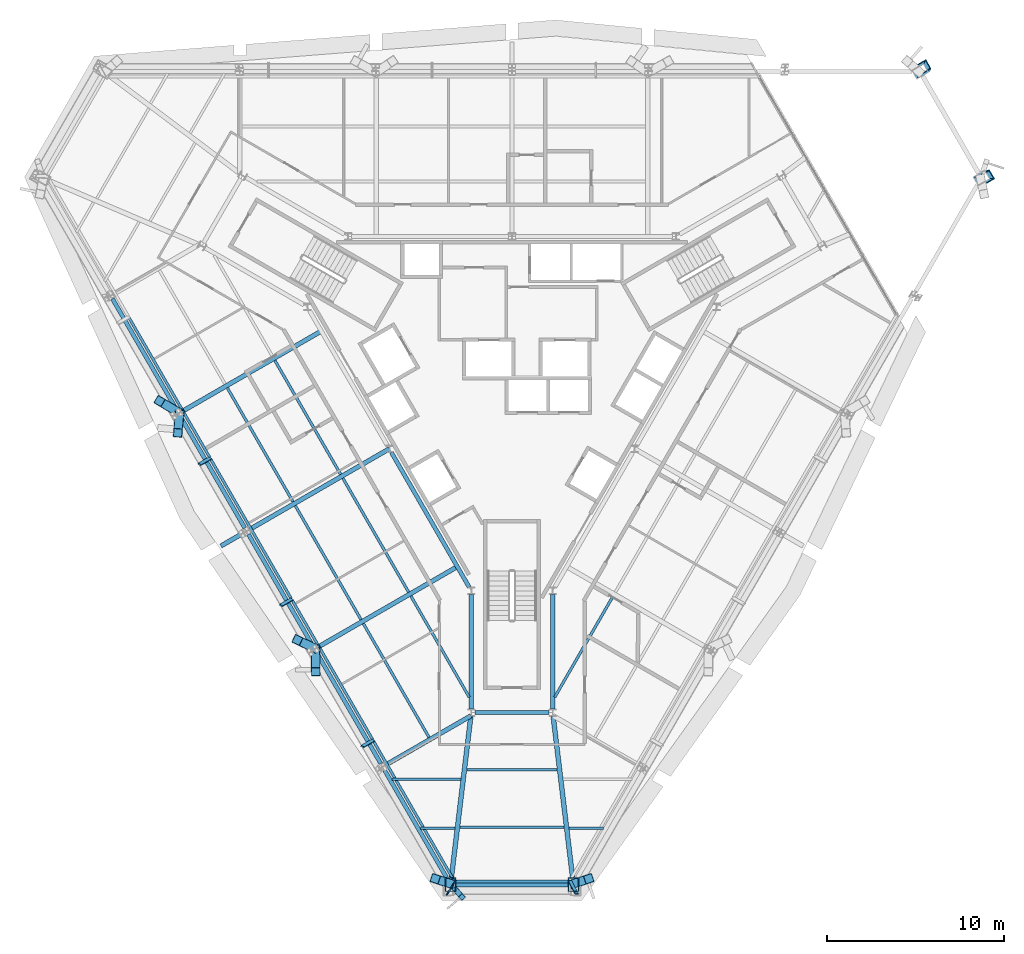
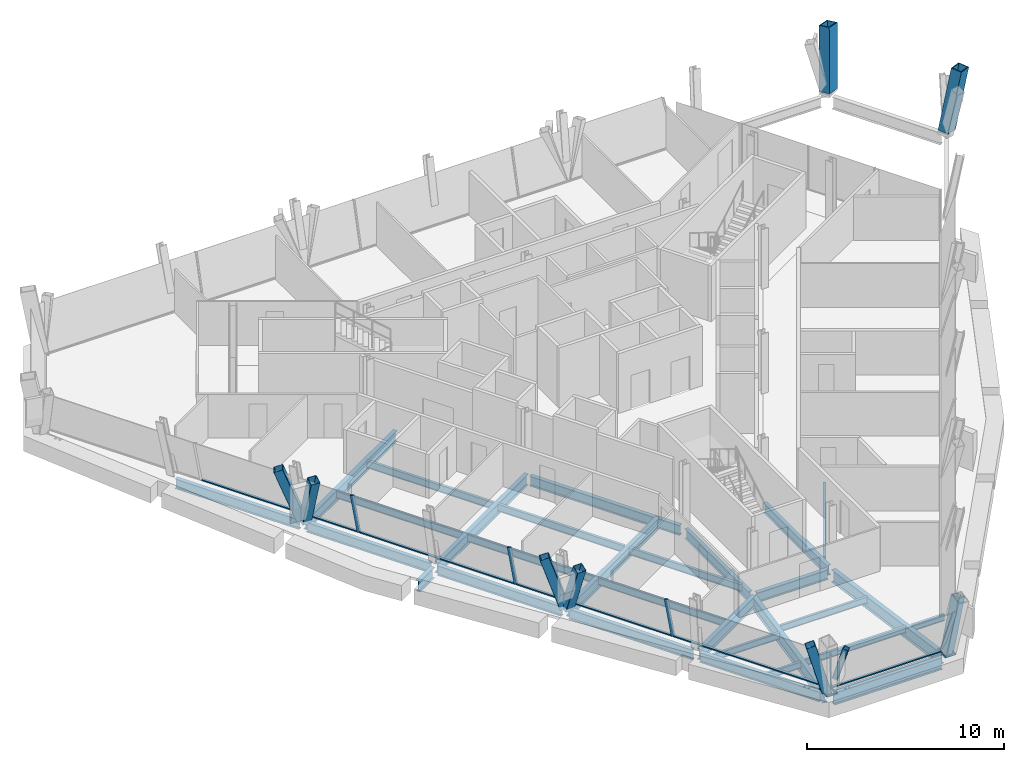
# One storey, part 2 of 12: 29 beams, 19 members, 2 columns, 3 elements without a shape of their own.
"""IFC4 building model written with IfcOpenShell, lengths in metres."""

from ifc_helpers import new_model, si_unit, direction, frame, origin, origin_2d, place, context, subcontext, project, spatial, rectangle, hollow_rectangle, i_section, extrude, material, material_profile, profile_set, type_object, element, aggregate, save


model = new_model("IFC4")

# Units and contexts
model_context = context("Model", 3, precision=1e-05, world=origin(), true_north=direction((0.0, 1.0)))
body_context = subcontext(model_context, "Body", "Model", "MODEL_VIEW")
ifc_project = project(units=[si_unit("LENGTHUNIT", "METRE"), si_unit("AREAUNIT", "SQUARE_METRE"), si_unit("VOLUMEUNIT", "CUBIC_METRE"), si_unit("PLANEANGLEUNIT", "RADIAN"), si_unit("MASSUNIT", "GRAM", prefix="KILO")], contexts=[model_context])

# Site, building, storey
site_placement = place(None, origin())
site = spatial("IfcSite", under=ifc_project, at=site_placement, CompositionType="ELEMENT")
building_placement = place(site_placement, origin())
building = spatial("IfcBuilding", under=site, at=building_placement, Name="Verrane Prism Tower", CompositionType="ELEMENT")
storey_placement = place(building_placement, frame((0.0, 0.0, 174.699951171875)))
storey = spatial("IfcBuildingStorey", under=building, at=storey_placement, Name="L43", CompositionType="ELEMENT", Elevation=174.699951171875)

# Columns
ifc_material_1 = material(Name="Steel A572 Grade 50", Category="steel")
ifc_material_profile_1 = material_profile(ifc_material_1, hollow_rectangle(XDim=0.60009765625, YDim=0.800048828125, WallThickness=0.050048828125, at=origin_2d()), Name="BOX 800x600x50")
ifc_profile_set_1 = profile_set([ifc_material_profile_1], Name="Steel A572 Grade 50")
column_type = type_object("IfcColumnType", Name="Megacolumn BOX 800x600x50", PredefinedType="COLUMN", material=ifc_profile_set_1)
column_1_placement = place(storey_placement, frame((23.056884765625, 17.322265625, 0.06494140625), z_axis=(0.105703911209, 0.184881619668, 0.977059604049), x_axis=(0.496815418669, -0.860963064013, 0.109165205894)))
element("IfcColumn", 1, at=column_1_placement, inside=storey, type_object=column_type, Name="Megacolumn MC-NE.b L43", PredefinedType="COLUMN", context=body_context, shape_type="SweptSolid", body=[
    extrude(hollow_rectangle(XDim=0.60009765625, YDim=0.800048828125, WallThickness=0.050048828125, at=origin_2d()), origin(), (0.0, 0.0, 1.0), 3.65380859375),
])
column_2_placement = place(storey_placement, frame((26.524169921875, 11.30029296875, 0.06494140625), z_axis=(0.213901349947, 0.002605294393, 0.976851792716), x_axis=(0.49700817695, -0.861181491994, -0.106533139876)))
element("IfcColumn", 2, at=column_2_placement, inside=storey, type_object=column_type, Name="Megacolumn MC-NE.a L43", PredefinedType="COLUMN", context=body_context, shape_type="SweptSolid", body=[
    extrude(hollow_rectangle(XDim=0.60009765625, YDim=0.800048828125, WallThickness=0.050048828125, at=origin_2d()), origin(), (0.0, 0.0, 1.0), 3.65478515625),
])

# Member
ifc_material_2 = material(Name="Steel A500 Grade C", Category="steel")
ifc_material_profile_2 = material_profile(ifc_material_2, hollow_rectangle(XDim=0.3046875, YDim=0.3046875, WallThickness=0.0126953125, InnerFilletRadius=0.00634765625, OuterFilletRadius=0.01904296875, at=origin_2d()), Name="HSS12x12x1/2")
ifc_profile_set_2 = profile_set([ifc_material_profile_2], Name="Steel A500 Grade C")
member_type_1 = type_object("IfcMemberType", Name="Chamfer brace HSS12x12x1/2", PredefinedType="BRACE", material=ifc_profile_set_2)
member_1_placement = place(storey_placement, frame((-3.195068359375, -28.88671875, 0.903076171875), z_axis=(0.183063555676, -0.211962042613, 0.959979076373), x_axis=(0.756813420585, 0.653630971131, 0.0)))
element("IfcMember", 3, at=member_1_placement, inside=storey, type_object=member_type_1, Name="Chamfer brace S0 L43", PredefinedType="BRACE", context=body_context, shape_type="SweptSolid", body=[
    extrude(hollow_rectangle(XDim=0.3046875, YDim=0.3046875, WallThickness=0.0126953125, InnerFilletRadius=0.00634765625, OuterFilletRadius=0.01904296875, at=origin_2d()), origin(), (0.0, 0.0, 1.0), 2.04443359375),
])

# Beams
ifc_material_3 = material(Name="Steel A992", Category="steel")
ifc_material_profile_3 = material_profile(ifc_material_3, i_section(OverallWidth=0.2666015625, OverallDepth=0.7568359375, WebThickness=0.013916015625, FlangeThickness=0.019287109375, FilletRadius=0.0166015625, at=origin_2d()), Name="W30x108")
ifc_profile_set_3 = profile_set([ifc_material_profile_3], Name="Steel A992")
beam_type_1 = type_object("IfcBeamType", Name="Chamfer spandrel beam W30x108", PredefinedType="SPANDREL", material=ifc_profile_set_3)
beam_1_placement = place(storey_placement, frame((-3.169921875, -28.610107421875, -0.538330078125), z_axis=(1.0, 0.0, 0.0), x_axis=(0.0, 1.0, 0.0)))
element("IfcBeam", 4, at=beam_1_placement, inside=storey, type_object=beam_type_1, Name="Chamfer spandrel beam L43", PredefinedType="SPANDREL", context=body_context, shape_type="SweptSolid", body=[
    extrude(i_section(OverallWidth=0.2666015625, OverallDepth=0.7568359375, WebThickness=0.013916015625, FlangeThickness=0.019287109375, FilletRadius=0.0166015625, at=origin_2d()), origin(), (0.0, 0.0, 1.0), 6.33984375),
])
ifc_material_4 = material(Name="Steel A992", Category="steel")
ifc_material_profile_4 = material_profile(ifc_material_4, i_section(OverallWidth=0.23046875, OverallDepth=0.6171875, WebThickness=0.01318359375, FlangeThickness=0.022216796875, FilletRadius=0.012939453125, at=origin_2d()), Name="W24x94")
ifc_profile_set_4 = profile_set([ifc_material_profile_4], Name="Steel A992")
beam_type_2 = type_object("IfcBeamType", Name="Core ring girder W24x94", PredefinedType="BEAM", material=ifc_profile_set_4)
beam_2_placement = place(storey_placement, frame((-6.81494140625, -4.199462890625, -0.55859375), z_axis=(0.499988222896, -0.866032203192, 0.0), x_axis=(0.866032203192, 0.499988222896, 0.0)))
element("IfcBeam", 5, at=beam_2_placement, inside=storey, type_object=beam_type_2, Name="Core ring girder L43", PredefinedType="BEAM", context=body_context, shape_type="SweptSolid", body=[
    extrude(i_section(OverallWidth=0.23046875, OverallDepth=0.6171875, WebThickness=0.01318359375, FlangeThickness=0.022216796875, FilletRadius=0.012939453125, at=origin_2d()), origin(), (0.0, 0.0, 1.0), 8.800048828125),
])
beam_3_placement = place(storey_placement, frame((-2.300048828125, -12.219482421875, -0.55859375), z_axis=(0.0, -1.0, 0.0), x_axis=(1.0, 0.0, 0.0)))
element("IfcBeam", 6, at=beam_3_placement, inside=storey, type_object=beam_type_2, Name="Core ring girder L43", PredefinedType="BEAM", context=body_context, shape_type="SweptSolid", body=[
    extrude(i_section(OverallWidth=0.23046875, OverallDepth=0.6171875, WebThickness=0.01318359375, FlangeThickness=0.022216796875, FilletRadius=0.012939453125, at=origin_2d()), origin(), (0.0, 0.0, 1.0), 6.47216796875),
])
beam_4_placement = place(storey_placement, frame((-2.0966796875, -18.89990234375, -0.55859375), z_axis=(1.0, 0.0, 0.0), x_axis=(0.0, 1.0, 0.0)))
element("IfcBeam", 7, at=beam_4_placement, inside=storey, type_object=beam_type_2, Name="Core ring girder L43", PredefinedType="BEAM", context=body_context, shape_type="SweptSolid", body=[
    extrude(i_section(OverallWidth=0.23046875, OverallDepth=0.6171875, WebThickness=0.01318359375, FlangeThickness=0.022216796875, FilletRadius=0.012939453125, at=origin_2d()), origin(), (0.0, 0.0, 1.0), 4.193359375),
])
beam_5_placement = place(storey_placement, frame((2.300048828125, -18.691650390625, -0.55859375), z_axis=(0.0, 1.0, 0.0), x_axis=(-1.0, 0.0, 0.0)))
element("IfcBeam", 8, at=beam_5_placement, inside=storey, type_object=beam_type_2, Name="Core ring girder L43", PredefinedType="BEAM", context=body_context, shape_type="SweptSolid", body=[
    extrude(i_section(OverallWidth=0.23046875, OverallDepth=0.6171875, WebThickness=0.01318359375, FlangeThickness=0.022216796875, FilletRadius=0.012939453125, at=origin_2d()), origin(), (0.0, 0.0, 1.0), 6.47216796875),
])
ifc_material_5 = material(Name="Steel A992", Category="steel")
ifc_material_profile_5 = material_profile(ifc_material_5, i_section(OverallWidth=0.2666015625, OverallDepth=0.76708984375, WebThickness=0.014892578125, FlangeThickness=0.023681640625, FilletRadius=0.0166015625, at=origin_2d()), Name="W30x124")
ifc_profile_set_5 = profile_set([ifc_material_profile_5], Name="Steel A992")
beam_type_3 = type_object("IfcBeamType", Name="Corner girder W30x124", PredefinedType="BEAM", material=ifc_profile_set_5)
for number, where, z_axis, x_axis, name in (
    (9, (-3.421875, -28.2099609375, -0.603515625), (0.119628268268, 0.992818753565, 0.0), (-0.992818753565, 0.119628268268, 0.0), "Corner girder L43"),
    (10, (3.421875, -28.2099609375, -0.603515625), (-0.119628268268, 0.992818753565, 0.0), (-0.992818753565, -0.119628268268, 0.0), "Corner girder L43"),
):
    element("IfcBeam", number, at=place(storey_placement, frame(where, z_axis=z_axis, x_axis=x_axis)), inside=storey, type_object=beam_type_3, Name=name, PredefinedType="BEAM", context=body_context, shape_type="SweptSolid", body=[
        extrude(i_section(OverallWidth=0.2666015625, OverallDepth=0.76708984375, WebThickness=0.014892578125, FlangeThickness=0.023681640625, FilletRadius=0.0166015625, at=origin_2d()), origin(), (0.0, 0.0, 1.0), 9.16748046875),
    ])

# Members
ifc_material_6 = material(Name="Steel A500 Grade C", Category="steel")
ifc_material_profile_6 = material_profile(ifc_material_6, hollow_rectangle(XDim=0.508056640625, YDim=0.508056640625, WallThickness=0.01904296875, InnerFilletRadius=0.009521484375, OuterFilletRadius=0.028564453125, at=origin_2d()), Name="HSS20x20x3/4")
ifc_profile_set_6 = profile_set([ifc_material_profile_6], Name="Steel A500 Grade C")
member_type_2 = type_object("IfcMemberType", Name="Facade brace HSS20x20x3/4", PredefinedType="BRACE", material=ifc_profile_set_6)
member_2_placement = place(storey_placement, frame((-18.87939453125, -1.91455078125, -0.171630859375), z_axis=(-0.306155746735, 0.182144208746, 0.934393999318), x_axis=(-0.511294495526, -0.859405572966, 0.0)))
element("IfcMember", 11, at=member_2_placement, inside=storey, type_object=member_type_2, Name="Facade brace SW1 L43", PredefinedType="BRACE", context=body_context, shape_type="SweptSolid", body=[
    extrude(hollow_rectangle(XDim=0.508056640625, YDim=0.508056640625, WallThickness=0.01904296875, InnerFilletRadius=0.009521484375, OuterFilletRadius=0.028564453125, at=origin_2d()), origin(), (0.0, 0.0, 1.0), 3.372314453125),
])
member_3_placement = place(storey_placement, frame((-18.7900390625, -2.0693359375, -0.171630859375), z_axis=(-0.025620472183, -0.310464170103, 0.950239754213), x_axis=(0.996612260534, -0.082243553869, 0.0)))
element("IfcMember", 12, at=member_3_placement, inside=storey, type_object=member_type_2, Name="Facade brace SW2 L43", PredefinedType="BRACE", context=body_context, shape_type="SweptSolid", body=[
    extrude(hollow_rectangle(XDim=0.508056640625, YDim=0.508056640625, WallThickness=0.01904296875, InnerFilletRadius=0.009521484375, OuterFilletRadius=0.028564453125, at=origin_2d()), origin(), (0.0, 0.0, 1.0), 3.316162109375),
])
member_4_placement = place(storey_placement, frame((-11.18994140625, -15.240478515625, -0.171630859375), z_axis=(-0.281583021635, 0.133761137336, 0.950167858889), x_axis=(-0.429080898862, -0.903266063921, 0.0)))
element("IfcMember", 13, at=member_4_placement, inside=storey, type_object=member_type_2, Name="Facade brace SW3 L43", PredefinedType="BRACE", context=body_context, shape_type="SweptSolid", body=[
    extrude(hollow_rectangle(XDim=0.508056640625, YDim=0.508056640625, WallThickness=0.01904296875, InnerFilletRadius=0.009521484375, OuterFilletRadius=0.028564453125, at=origin_2d()), origin(), (0.0, 0.0, 1.0), 3.31640625),
])
member_5_placement = place(storey_placement, frame((-11.1005859375, -15.395263671875, -0.171630859375), z_axis=(0.004344610647, -0.355678791673, 0.934598160448), x_axis=(0.999925405434, 0.012214072542, 0.0)))
element("IfcMember", 14, at=member_5_placement, inside=storey, type_object=member_type_2, Name="Facade brace SW4 L43", PredefinedType="BRACE", context=body_context, shape_type="SweptSolid", body=[
    extrude(hollow_rectangle(XDim=0.508056640625, YDim=0.508056640625, WallThickness=0.01904296875, InnerFilletRadius=0.009521484375, OuterFilletRadius=0.028564453125, at=origin_2d()), origin(), (0.0, 0.0, 1.0), 3.37158203125),
])
for number, where, z_axis, x_axis, name in (
    (15, (-3.500732421875, -28.556640625, -0.171630859375), (-0.25503092061, 0.083442952661, 0.963325751335), (-0.310965972755, -0.950421045531, 0.0), "Facade brace SW5 L43"),
    (16, (3.500732421875, -28.556640625, -0.171630859375), (0.25503092061, 0.083442952661, 0.963325751335), (-0.310965972755, 0.950421045531, 0.0), "Facade brace SE0 L43"),
):
    element("IfcMember", number, at=place(storey_placement, frame(where, z_axis=z_axis, x_axis=x_axis)), inside=storey, type_object=member_type_2, Name=name, PredefinedType="BRACE", context=body_context, shape_type="SweptSolid", body=[
        extrude(hollow_rectangle(XDim=0.508056640625, YDim=0.508056640625, WallThickness=0.01904296875, InnerFilletRadius=0.009521484375, OuterFilletRadius=0.028564453125, at=origin_2d()), origin(), (0.0, 0.0, 1.0), 3.27099609375),
    ])

# Beams
ifc_material_7 = material(Name="Steel A992", Category="steel")
ifc_material_profile_7 = material_profile(ifc_material_7, i_section(OverallWidth=0.140380859375, OverallDepth=0.40380859375, WebThickness=0.007080078125, FlangeThickness=0.01123046875, FilletRadius=0.01025390625, at=origin_2d()), Name="W16x31")
ifc_profile_set_7 = profile_set([ifc_material_profile_7], Name="Steel A992")
beam_type_4 = type_object("IfcBeamType", Name="Floor beam W16x31", PredefinedType="BEAM", material=ifc_profile_set_7)
beam_6_placement = place(storey_placement, frame((-5.171630859375, -25.433349609375, -0.36181640625), z_axis=(1.0, 0.0, 0.0), x_axis=(0.0, 1.0, 0.0)))
element("IfcBeam", 17, at=beam_6_placement, inside=storey, type_object=beam_type_4, Name="Floor beam L43", PredefinedType="BEAM", context=body_context, shape_type="SweptSolid", body=[
    extrude(i_section(OverallWidth=0.140380859375, OverallDepth=0.40380859375, WebThickness=0.007080078125, FlangeThickness=0.01123046875, FilletRadius=0.01025390625, at=origin_2d()), origin(), (0.0, 0.0, 1.0), 1.950439453125),
])
beam_7_placement = place(storey_placement, frame((-6.77490234375, -22.65673828125, -0.36181640625), z_axis=(1.0, 0.0, 0.0), x_axis=(0.0, 1.0, 0.0)))
element("IfcBeam", 18, at=beam_7_placement, inside=storey, type_object=beam_type_4, Name="Floor beam L43", PredefinedType="BEAM", context=body_context, shape_type="SweptSolid", body=[
    extrude(i_section(OverallWidth=0.140380859375, OverallDepth=0.40380859375, WebThickness=0.007080078125, FlangeThickness=0.01123046875, FilletRadius=0.01025390625, at=origin_2d()), origin(), (0.0, 0.0, 1.0), 3.888916015625),
])
beam_8_placement = place(storey_placement, frame((3.22119140625, -25.433349609375, -0.36181640625), z_axis=(1.0, 0.0, 0.0), x_axis=(0.0, 1.0, 0.0)))
element("IfcBeam", 19, at=beam_8_placement, inside=storey, type_object=beam_type_4, Name="Floor beam L43", PredefinedType="BEAM", context=body_context, shape_type="SweptSolid", body=[
    extrude(i_section(OverallWidth=0.140380859375, OverallDepth=0.40380859375, WebThickness=0.007080078125, FlangeThickness=0.01123046875, FilletRadius=0.01025390625, at=origin_2d()), origin(), (0.0, 0.0, 1.0), 1.950439453125),
])
beam_9_placement = place(storey_placement, frame((-2.945068359375, -25.373291015625, -0.36181640625), z_axis=(1.0, 0.0, 0.0), x_axis=(0.0, 1.0, 0.0)))
element("IfcBeam", 20, at=beam_9_placement, inside=storey, type_object=beam_type_4, Name="Floor beam L43", PredefinedType="BEAM", context=body_context, shape_type="SweptSolid", body=[
    extrude(i_section(OverallWidth=0.140380859375, OverallDepth=0.40380859375, WebThickness=0.007080078125, FlangeThickness=0.01123046875, FilletRadius=0.01025390625, at=origin_2d()), origin(), (0.0, 0.0, 1.0), 5.89013671875),
])
beam_10_placement = place(storey_placement, frame((-2.554443359375, -22.13671875, -0.36181640625), z_axis=(1.0, 0.0, 0.0), x_axis=(0.0, 1.0, 0.0)))
element("IfcBeam", 21, at=beam_10_placement, inside=storey, type_object=beam_type_4, Name="Floor beam L43", PredefinedType="BEAM", context=body_context, shape_type="SweptSolid", body=[
    extrude(i_section(OverallWidth=0.140380859375, OverallDepth=0.40380859375, WebThickness=0.007080078125, FlangeThickness=0.01123046875, FilletRadius=0.01025390625, at=origin_2d()), origin(), (0.0, 0.0, 1.0), 5.10888671875),
])
ifc_material_8 = material(Name="Steel A992", Category="steel")
ifc_material_profile_8 = material_profile(ifc_material_8, i_section(OverallWidth=0.15234375, OverallDepth=0.449462890625, WebThickness=0.007568359375, FlangeThickness=0.0107421875, FilletRadius=0.01025390625, at=origin_2d()), Name="W18x35")
ifc_profile_set_8 = profile_set([ifc_material_profile_8], Name="Steel A992")
beam_type_5 = type_object("IfcBeamType", Name="Floor beam W18x35", PredefinedType="BEAM", material=ifc_profile_set_8)
for number, where, z_axis, x_axis, name in (
    (22, (-9.680419921875, -5.440185546875, -0.384765625), (-0.499979562871, 0.866037202845, 0.0), (-0.866037202845, -0.499979562871, 0.0), "Floor beam L43"),
    (23, (-12.3671875, -6.990234375, -0.384765625), (-0.499979562871, 0.866037202845, 0.0), (-0.866037202845, -0.499979562871, 0.0), "Floor beam L43"),
):
    element("IfcBeam", number, at=place(storey_placement, frame(where, z_axis=z_axis, x_axis=x_axis)), inside=storey, type_object=beam_type_5, Name=name, PredefinedType="BEAM", context=body_context, shape_type="SweptSolid", body=[
        extrude(i_section(OverallWidth=0.15234375, OverallDepth=0.449462890625, WebThickness=0.007568359375, FlangeThickness=0.0107421875, FilletRadius=0.01025390625, at=origin_2d()), origin(), (0.0, 0.0, 1.0), 7.425048828125),
    ])
beam_11_placement = place(storey_placement, frame((-5.837646484375, -12.098388671875, -0.384765625), z_axis=(-0.499996323716, 0.866027526278, 0.0), x_axis=(-0.866027526278, -0.499996323716, 0.0)))
element("IfcBeam", 24, at=beam_11_placement, inside=storey, type_object=beam_type_5, Name="Floor beam L43", PredefinedType="BEAM", context=body_context, shape_type="SweptSolid", body=[
    extrude(i_section(OverallWidth=0.15234375, OverallDepth=0.449462890625, WebThickness=0.007568359375, FlangeThickness=0.0107421875, FilletRadius=0.01025390625, at=origin_2d()), origin(), (0.0, 0.0, 1.0), 7.43359375),
])
beam_12_placement = place(storey_placement, frame((-8.525390625, -13.6494140625, -0.384765625), z_axis=(-0.500006734102, 0.866021515814, 0.0), x_axis=(-0.866021515814, -0.500006734102, 0.0)))
element("IfcBeam", 25, at=beam_12_placement, inside=storey, type_object=beam_type_5, Name="Floor beam L43", PredefinedType="BEAM", context=body_context, shape_type="SweptSolid", body=[
    extrude(i_section(OverallWidth=0.15234375, OverallDepth=0.449462890625, WebThickness=0.007568359375, FlangeThickness=0.0107421875, FilletRadius=0.01025390625, at=origin_2d()), origin(), (0.0, 0.0, 1.0), 7.43408203125),
])
beam_13_placement = place(storey_placement, frame((-2.4150390625, -18.027099609375, -0.384765625), z_axis=(-0.49998322161, 0.866035090576, 0.0), x_axis=(-0.866035090576, -0.49998322161, 0.0)))
element("IfcBeam", 26, at=beam_13_placement, inside=storey, type_object=beam_type_5, Name="Floor beam L43", PredefinedType="BEAM", context=body_context, shape_type="SweptSolid", body=[
    extrude(i_section(OverallWidth=0.15234375, OverallDepth=0.449462890625, WebThickness=0.007568359375, FlangeThickness=0.0107421875, FilletRadius=0.01025390625, at=origin_2d()), origin(), (0.0, 0.0, 1.0), 6.591552734375),
])
beam_14_placement = place(storey_placement, frame((-4.686279296875, -20.299072265625, -0.384765625), z_axis=(-0.500022277658, 0.866012541391, 0.0), x_axis=(-0.866012541391, -0.500022277658, 0.0)))
element("IfcBeam", 27, at=beam_14_placement, inside=storey, type_object=beam_type_5, Name="Floor beam L43", PredefinedType="BEAM", context=body_context, shape_type="SweptSolid", body=[
    extrude(i_section(OverallWidth=0.15234375, OverallDepth=0.449462890625, WebThickness=0.007568359375, FlangeThickness=0.0107421875, FilletRadius=0.01025390625, at=origin_2d()), origin(), (0.0, 0.0, 1.0), 7.424560546875),
])
beam_15_placement = place(storey_placement, frame((2.4150390625, -18.027099609375, -0.384765625), z_axis=(0.49998322161, 0.866035090576, 0.0), x_axis=(-0.866035090576, 0.49998322161, 0.0)))
element("IfcBeam", 28, at=beam_15_placement, inside=storey, type_object=beam_type_5, Name="Floor beam L43", PredefinedType="BEAM", context=body_context, shape_type="SweptSolid", body=[
    extrude(i_section(OverallWidth=0.15234375, OverallDepth=0.449462890625, WebThickness=0.007568359375, FlangeThickness=0.0107421875, FilletRadius=0.01025390625, at=origin_2d()), origin(), (0.0, 0.0, 1.0), 6.591552734375),
])

# Members
ifc_material_9 = material(Name="Steel A572 Grade 50", Category="steel")
ifc_material_profile_9 = material_profile(ifc_material_9, hollow_rectangle(XDim=0.60009765625, YDim=0.800048828125, WallThickness=0.050048828125, at=origin_2d()), Name="BOX 800x600x50")
ifc_profile_set_9 = profile_set([ifc_material_profile_9], Name="Steel A572 Grade 50")
member_type_3 = type_object("IfcMemberType", Name="Kink node BOX 800x600x50", PredefinedType="COLLAR", material=ifc_profile_set_9)
for number, where, z_axis, x_axis, name in (
    (29, (-3.473388671875, -28.6162109375, -0.06494140625), (0.0, 0.0, 1.0), (-1.0, 0.0, 0.0), "Kink node MC4 L43"),
    (30, (3.473388671875, -28.6162109375, -0.06494140625), (0.0, 0.0, 1.0), (-1.0, 0.0, 0.0), "Kink node MC4 L43"),
):
    element("IfcMember", number, at=place(storey_placement, frame(where, z_axis=z_axis, x_axis=x_axis)), inside=storey, type_object=member_type_3, Name=name, PredefinedType="COLLAR", context=body_context, shape_type="SweptSolid", body=[
        extrude(hollow_rectangle(XDim=0.60009765625, YDim=0.800048828125, WallThickness=0.050048828125, at=origin_2d()), origin(), (0.0, 0.0, 1.0), 0.1298828125),
    ])

# Curtain wall, members
ifc_material_10 = material(Name="Aluminium framed insulated glazing", Category="aluminium")
curtain_wall_type = type_object("IfcCurtainWallType", Name="Curtain wall CW-A 8400 module", PredefinedType="NOTDEFINED", material=ifc_material_10)
curtain_wall_1_placement = place(storey_placement, origin())
curtain_wall_1 = element("IfcCurtainWall", 31, at=curtain_wall_1_placement, inside=storey, type_object=curtain_wall_type, Name="Glazed curtain wall south-west face L43", PredefinedType="NOTDEFINED")
ifc_material_11 = material(Name="Aluminium alloy 6063-T6", Category="aluminium")
ifc_material_profile_10 = material_profile(ifc_material_11, rectangle(XDim=0.199951171875, YDim=0.070068359375, at=origin_2d()), Name="Mullion 70x200 aluminium")
ifc_profile_set_10 = profile_set([ifc_material_profile_10], Name="Aluminium alloy 6063-T6")
member_type_4 = type_object("IfcMemberType", Name="Mullion 70x200 aluminium", PredefinedType="MULLION", material=ifc_profile_set_10)
member_6_placement = place(storey_placement, frame((-17.0498046875, -4.531005859375, 0.0), z_axis=(-0.216364904862, -0.124956614407, 0.968283053895), x_axis=(0.852358411986, -0.507817109086, 0.124927664015)))
member_6 = element("IfcMember", 32, at=member_6_placement, type_object=member_type_4, Name="CW42.4 mullion 3", PredefinedType="MULLION", context=body_context, shape_type="SweptSolid", body=[
    extrude(rectangle(XDim=0.199951171875, YDim=0.070068359375, at=origin_2d()), origin(), (0.0, 0.0, 1.0), 2.8017578125),
])
member_7_placement = place(storey_placement, frame((-12.448974609375, -12.5, 0.0), z_axis=(-0.216367259975, -0.124870835096, 0.968293593572), x_axis=(0.852209545934, -0.508071915467, 0.124907239713)))
member_7 = element("IfcMember", 33, at=member_7_placement, type_object=member_type_4, Name="CW42.4 mullion 4", PredefinedType="MULLION", context=body_context, shape_type="SweptSolid", body=[
    extrude(rectangle(XDim=0.199951171875, YDim=0.070068359375, at=origin_2d()), origin(), (0.0, 0.0, 1.0), 2.8017578125),
])
member_8_placement = place(storey_placement, frame((-7.84814453125, -20.46875, 0.0), z_axis=(-0.216364904862, -0.124956614407, 0.968283053895), x_axis=(0.852358411986, -0.507817109086, 0.124927664015)))
member_8 = element("IfcMember", 34, at=member_8_placement, type_object=member_type_4, Name="CW42.4 mullion 5", PredefinedType="MULLION", context=body_context, shape_type="SweptSolid", body=[
    extrude(rectangle(XDim=0.199951171875, YDim=0.070068359375, at=origin_2d()), origin(), (0.0, 0.0, 1.0), 2.8017578125),
])

# Curtain wall, member
curtain_wall_2_placement = place(storey_placement, origin())
curtain_wall_2 = element("IfcCurtainWall", 35, at=curtain_wall_2_placement, inside=storey, type_object=curtain_wall_type, Name="Glazed curtain wall south corner L43", PredefinedType="NOTDEFINED")
member_9_placement = place(storey_placement, frame((-3.21240234375, -28.4375, 0.0), z_axis=(-0.154784599439, -0.246897792654, 0.956599815889), x_axis=(0.508114104522, 0.810495690639, 0.291404859673)))
member_9 = element("IfcMember", 36, at=member_9_placement, type_object=member_type_4, Name="CW42.5 mullion 1", PredefinedType="MULLION", context=body_context, shape_type="SweptSolid", body=[
    extrude(rectangle(XDim=0.199951171875, YDim=0.070068359375, at=origin_2d()), origin(), (0.0, 0.0, 1.0), 2.8359375),
])

curtain_wall_3_placement = place(storey_placement, origin())
curtain_wall_3 = element("IfcCurtainWall", 37, at=curtain_wall_3_placement, inside=storey, type_object=curtain_wall_type, Name="Glazed curtain wall south-east face L43", PredefinedType="NOTDEFINED")
member_10_placement = place(storey_placement, frame((3.264892578125, -28.4072265625, 0.0), z_axis=(0.136276012567, -0.257572855085, 0.956600790676), x_axis=(-0.989169163794, 0.017769926921, 0.145700360658)))
member_10 = element("IfcMember", 38, at=member_10_placement, type_object=member_type_4, Name="CW42.6 mullion 1", PredefinedType="MULLION", context=body_context, shape_type="SweptSolid", body=[
    extrude(rectangle(XDim=0.199951171875, YDim=0.070068359375, at=origin_2d()), origin(), (0.0, 0.0, 1.0), 2.8359375),
])
aggregate(curtain_wall_3, [member_10])

# Beams
ifc_material_12 = material(Name="Steel A992", Category="steel")
ifc_material_profile_11 = material_profile(ifc_material_12, i_section(OverallWidth=0.25390625, OverallDepth=0.683349609375, WebThickness=0.012451171875, FlangeThickness=0.01904296875, FilletRadius=0.01513671875, at=origin_2d()), Name="W27x94")
ifc_profile_set_11 = profile_set([ifc_material_profile_11], Name="Steel A992")
beam_type_6 = type_object("IfcBeamType", Name="Radial girder W27x94", PredefinedType="BEAM", material=ifc_profile_set_11)
beam_16_placement = place(storey_placement, frame((-18.641845703125, -1.891357421875, -0.5615234375), z_axis=(0.866022759689, 0.500004579679, 0.0), x_axis=(-0.500004579679, 0.866022759689, 0.0)))
element("IfcBeam", 39, at=beam_16_placement, inside=storey, type_object=beam_type_6, Name="Radial girder L43", PredefinedType="BEAM", context=body_context, shape_type="SweptSolid", body=[
    extrude(i_section(OverallWidth=0.25390625, OverallDepth=0.683349609375, WebThickness=0.012451171875, FlangeThickness=0.01904296875, FilletRadius=0.01513671875, at=origin_2d()), origin(), (0.0, 0.0, 1.0), 9.0888671875),
])
beam_17_placement = place(storey_placement, frame((-14.802001953125, -8.54150390625, -0.5615234375), z_axis=(0.866020960005, 0.500007696773, 0.0), x_axis=(-0.500007696773, 0.866020960005, 0.0)))
element("IfcBeam", 40, at=beam_17_placement, inside=storey, type_object=beam_type_6, Name="Radial girder L43", PredefinedType="BEAM", context=body_context, shape_type="SweptSolid", body=[
    extrude(i_section(OverallWidth=0.25390625, OverallDepth=0.683349609375, WebThickness=0.012451171875, FlangeThickness=0.01904296875, FilletRadius=0.01513671875, at=origin_2d()), origin(), (0.0, 0.0, 1.0), 9.088134765625),
])
beam_18_placement = place(storey_placement, frame((-10.9619140625, -15.201416015625, -0.5615234375), z_axis=(0.866021925876, 0.500006023866, 0.0), x_axis=(-0.500006023866, 0.866021925876, 0.0)))
element("IfcBeam", 41, at=beam_18_placement, inside=storey, type_object=beam_type_6, Name="Radial girder L43", PredefinedType="BEAM", context=body_context, shape_type="SweptSolid", body=[
    extrude(i_section(OverallWidth=0.25390625, OverallDepth=0.683349609375, WebThickness=0.012451171875, FlangeThickness=0.01904296875, FilletRadius=0.01513671875, at=origin_2d()), origin(), (0.0, 0.0, 1.0), 9.09228515625),
])
beam_19_placement = place(storey_placement, frame((-7.121826171875, -21.851318359375, -0.5615234375), z_axis=(0.866030813765, 0.499990629522, 0.0), x_axis=(-0.499990629522, 0.866030813765, 0.0)))
element("IfcBeam", 42, at=beam_19_placement, inside=storey, type_object=beam_type_6, Name="Radial girder L43", PredefinedType="BEAM", context=body_context, shape_type="SweptSolid", body=[
    extrude(i_section(OverallWidth=0.25390625, OverallDepth=0.683349609375, WebThickness=0.012451171875, FlangeThickness=0.01904296875, FilletRadius=0.01513671875, at=origin_2d()), origin(), (0.0, 0.0, 1.0), 5.54248046875),
])
beam_20_placement = place(storey_placement, frame((-15.174560546875, -8.756591796875, -0.5615234375), z_axis=(-0.866046596414, -0.499963291492, 0.0), x_axis=(0.499963291492, -0.866046596414, 0.0)))
element("IfcBeam", 43, at=beam_20_placement, inside=storey, type_object=beam_type_6, Name="Cantilever girder L43", PredefinedType="BEAM", context=body_context, shape_type="SweptSolid", body=[
    extrude(i_section(OverallWidth=0.25390625, OverallDepth=0.683349609375, WebThickness=0.012451171875, FlangeThickness=0.01904296875, FilletRadius=0.01513671875, at=origin_2d()), origin(), (0.0, 0.0, 1.0), 1.46240234375),
])
ifc_material_13 = material(Name="Steel A992", Category="steel")
ifc_material_profile_12 = material_profile(ifc_material_13, i_section(OverallWidth=0.23046875, OverallDepth=0.6171875, WebThickness=0.01318359375, FlangeThickness=0.022216796875, FilletRadius=0.012939453125, at=origin_2d()), Name="W24x94")
ifc_profile_set_12 = profile_set([ifc_material_profile_12], Name="Steel A992")
beam_type_7 = type_object("IfcBeamType", Name="Spandrel beam W24x94", PredefinedType="SPANDREL", material=ifc_profile_set_12)
for number, where, z_axis, x_axis, name in (
    (44, (-22.567138671875, 4.4716796875, -0.468505859375), (0.50007721572, -0.865980818678, 0.0), (0.865980818678, 0.50007721572, 0.0), "Spandrel beam L43"),
    (45, (-18.72705078125, -2.17822265625, -0.468505859375), (0.500052022334, -0.865995366592, 0.0), (0.865995366592, 0.500052022334, 0.0), "Spandrel beam L43"),
):
    element("IfcBeam", number, at=place(storey_placement, frame(where, z_axis=z_axis, x_axis=x_axis)), inside=storey, type_object=beam_type_7, Name=name, PredefinedType="SPANDREL", context=body_context, shape_type="SweptSolid", body=[
        extrude(i_section(OverallWidth=0.23046875, OverallDepth=0.6171875, WebThickness=0.01318359375, FlangeThickness=0.022216796875, FilletRadius=0.012939453125, at=origin_2d()), origin(), (0.0, 0.0, 1.0), 7.267333984375),
    ])
beam_21_placement = place(storey_placement, frame((-14.88720703125, -8.828125, -0.468505859375), z_axis=(0.499492001644, -0.866318498183, 0.0), x_axis=(0.866318498183, 0.499492001644, 0.0)))
element("IfcBeam", 46, at=beam_21_placement, inside=storey, type_object=beam_type_7, Name="Spandrel beam L43", PredefinedType="SPANDREL", context=body_context, shape_type="SweptSolid", body=[
    extrude(i_section(OverallWidth=0.23046875, OverallDepth=0.6171875, WebThickness=0.01318359375, FlangeThickness=0.022216796875, FilletRadius=0.012939453125, at=origin_2d()), origin(), (0.0, 0.0, 1.0), 7.2763671875),
])
beam_22_placement = place(storey_placement, frame((-11.047119140625, -15.48828125, -0.468505859375), z_axis=(0.50007721572, -0.865980818678, 0.0), x_axis=(0.865980818678, 0.50007721572, 0.0)))
element("IfcBeam", 47, at=beam_22_placement, inside=storey, type_object=beam_type_7, Name="Spandrel beam L43", PredefinedType="SPANDREL", context=body_context, shape_type="SweptSolid", body=[
    extrude(i_section(OverallWidth=0.23046875, OverallDepth=0.6171875, WebThickness=0.01318359375, FlangeThickness=0.022216796875, FilletRadius=0.012939453125, at=origin_2d()), origin(), (0.0, 0.0, 1.0), 7.267333984375),
])
beam_23_placement = place(storey_placement, frame((-7.20703125, -22.13818359375, -0.468505859375), z_axis=(0.5000600333, -0.865990740768, 0.0), x_axis=(0.865990740768, 0.5000600333, 0.0)))
element("IfcBeam", 48, at=beam_23_placement, inside=storey, type_object=beam_type_7, Name="Spandrel beam L43", PredefinedType="SPANDREL", context=body_context, shape_type="SweptSolid", body=[
    extrude(i_section(OverallWidth=0.23046875, OverallDepth=0.6171875, WebThickness=0.01318359375, FlangeThickness=0.022216796875, FilletRadius=0.012939453125, at=origin_2d()), origin(), (0.0, 0.0, 1.0), 7.011474609375),
])

# Member
ifc_material_14 = material(Name="Aluminium alloy 6063-T6", Category="aluminium")
ifc_material_profile_13 = material_profile(ifc_material_14, rectangle(XDim=0.14990234375, YDim=0.070068359375, at=origin_2d()), Name="Transom 70x150 aluminium")
ifc_profile_set_13 = profile_set([ifc_material_profile_13], Name="Aluminium alloy 6063-T6")
member_type_5 = type_object("IfcMemberType", Name="Transom 70x150 aluminium", PredefinedType="USERDEFINED", material=ifc_profile_set_13)
member_11_placement = place(storey_placement, frame((-21.633056640625, 3.407470703125, 0.03515625), z_axis=(0.500009425886, -0.866019961678, 0.0), x_axis=(0.866019961678, 0.500009425886, 0.0)))
member_11 = element("IfcMember", 49, at=member_11_placement, type_object=member_type_5, Name="CW42.4 transom 2", ObjectType="TRANSOM", PredefinedType="USERDEFINED", context=body_context, shape_type="SweptSolid", body=[
    extrude(rectangle(XDim=0.14990234375, YDim=0.070068359375, at=origin_2d()), origin(), (0.0, 0.0, 1.0), 9.131591796875),
])

member_12_placement = place(storey_placement, frame((-17.0322265625, -4.561279296875, 0.03515625), z_axis=(0.499997849104, -0.866026645601, 0.0), x_axis=(0.866026645601, 0.499997849104, 0.0)))
member_12 = element("IfcMember", 50, at=member_12_placement, type_object=member_type_5, Name="CW42.4 transom 3", ObjectType="TRANSOM", PredefinedType="USERDEFINED", context=body_context, shape_type="SweptSolid", body=[
    extrude(rectangle(XDim=0.14990234375, YDim=0.070068359375, at=origin_2d()), origin(), (0.0, 0.0, 1.0), 9.1318359375),
])

member_13_placement = place(storey_placement, frame((-12.431396484375, -12.5302734375, 0.03515625), z_axis=(0.500009425886, -0.866019961678, 0.0), x_axis=(0.866019961678, 0.500009425886, 0.0)))
member_13 = element("IfcMember", 51, at=member_13_placement, type_object=member_type_5, Name="CW42.4 transom 4", ObjectType="TRANSOM", PredefinedType="USERDEFINED", context=body_context, shape_type="SweptSolid", body=[
    extrude(rectangle(XDim=0.14990234375, YDim=0.070068359375, at=origin_2d()), origin(), (0.0, 0.0, 1.0), 9.131591796875),
])

member_14_placement = place(storey_placement, frame((-7.83056640625, -20.4990234375, 0.03515625), z_axis=(0.499997575924, -0.866026803321, 0.0), x_axis=(0.866026803321, 0.499997575924, 0.0)))
member_14 = element("IfcMember", 52, at=member_14_placement, type_object=member_type_5, Name="CW42.4 transom 5", ObjectType="TRANSOM", PredefinedType="USERDEFINED", context=body_context, shape_type="SweptSolid", body=[
    extrude(rectangle(XDim=0.14990234375, YDim=0.070068359375, at=origin_2d()), origin(), (0.0, 0.0, 1.0), 9.16650390625),
])

aggregate(curtain_wall_1, [member_6, member_7, member_8, member_11, member_12, member_13, member_14])

member_15_placement = place(storey_placement, frame((-3.17724609375, -28.4375, 0.03515625), z_axis=(1.0, 0.0, 0.0), x_axis=(0.0, 1.0, 0.0)))
member_15 = element("IfcMember", 53, at=member_15_placement, type_object=member_type_5, Name="CW42.5 transom 1", ObjectType="TRANSOM", PredefinedType="USERDEFINED", context=body_context, shape_type="SweptSolid", body=[
    extrude(rectangle(XDim=0.14990234375, YDim=0.070068359375, at=origin_2d()), origin(), (0.0, 0.0, 1.0), 6.424560546875),
])

aggregate(curtain_wall_2, [member_9, member_15])

save(model, "model.ifc")
